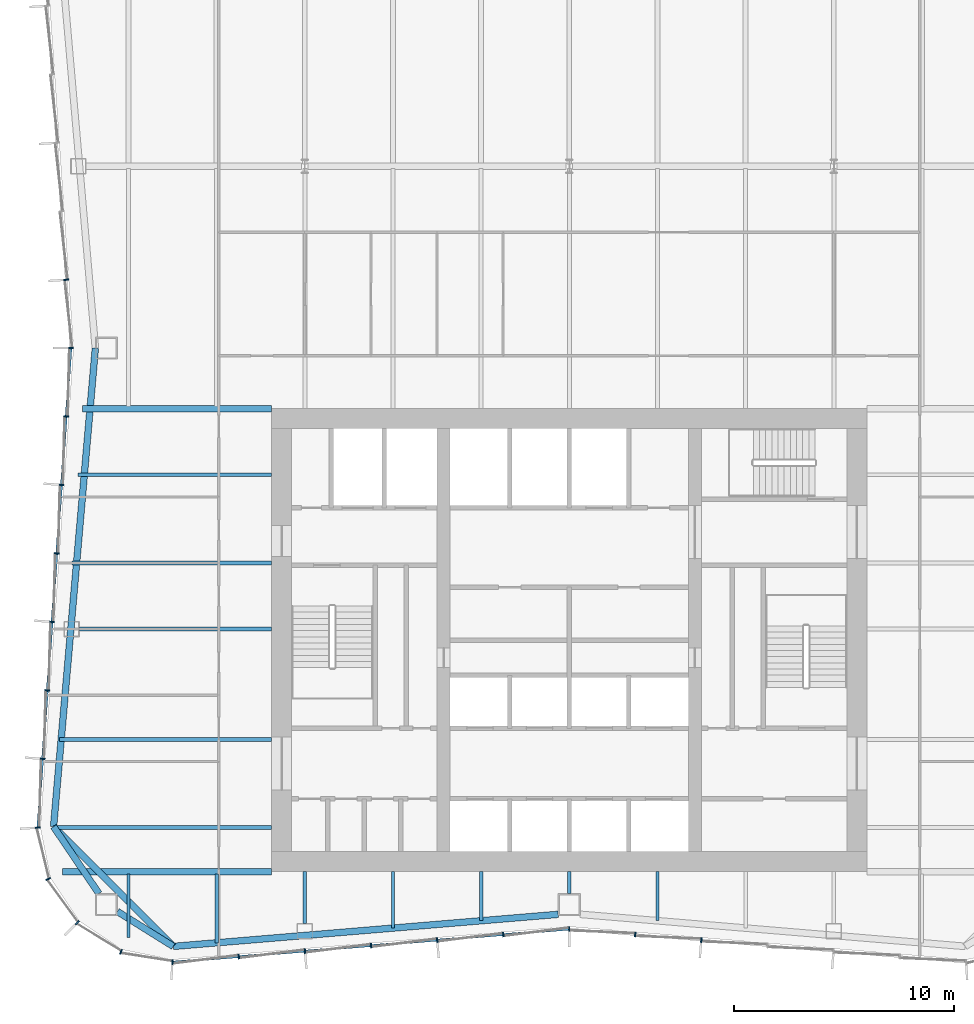
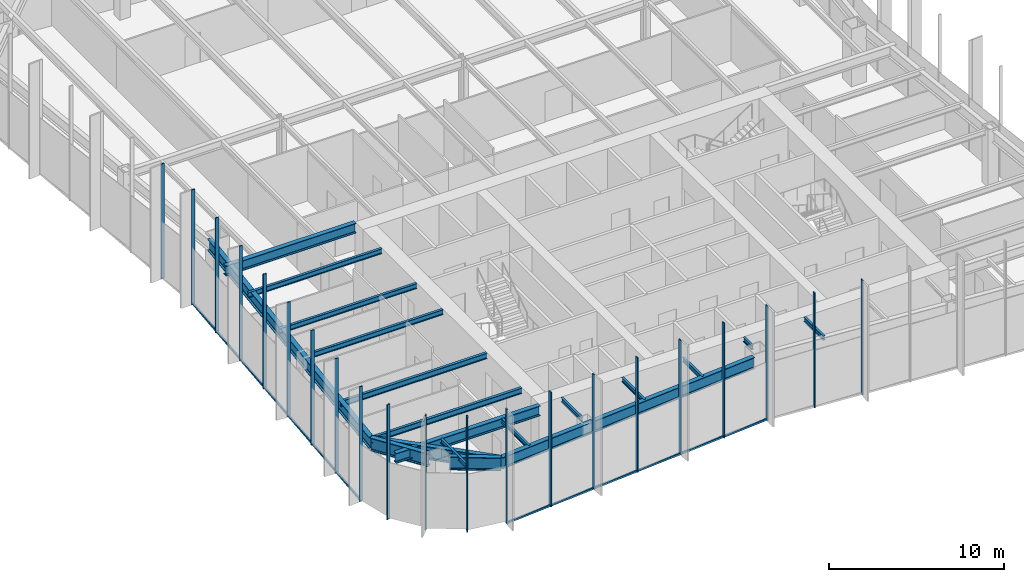
# One storey, part 2 of 13: 23 members, 19 beams, 3 elements without a shape of their own.
"""IFC4 building model written with IfcOpenShell, lengths in metres."""

from ifc_helpers import new_model, si_unit, direction, frame, origin, origin_2d, place, context, subcontext, project, spatial, rectangle, i_section, extrude, material, material_profile, profile_set, type_object, element, aggregate, save


model = new_model("IFC4")

# Units and contexts
model_context = context("Model", 3, precision=1e-05, world=origin(), true_north=direction((0.0, 1.0)))
body_context = subcontext(model_context, "Body", "Model", "MODEL_VIEW")
ifc_project = project(units=[si_unit("LENGTHUNIT", "METRE"), si_unit("AREAUNIT", "SQUARE_METRE"), si_unit("VOLUMEUNIT", "CUBIC_METRE"), si_unit("PLANEANGLEUNIT", "RADIAN"), si_unit("MASSUNIT", "GRAM", prefix="KILO")], contexts=[model_context])

# Site, building, storey
site_placement = place(None, origin())
site = spatial("IfcSite", under=ifc_project, at=site_placement, CompositionType="ELEMENT")
building_placement = place(site_placement, origin())
building = spatial("IfcBuilding", under=site, at=building_placement, Name="Verdant Reach Tower", CompositionType="ELEMENT")
storey_placement = place(building_placement, frame((0.0, 0.0, 218.0)))
storey = spatial("IfcBuildingStorey", under=building, at=storey_placement, Name="L50", CompositionType="ELEMENT", Elevation=218.0)

# Curtain wall, members
ifc_material_1 = material(Name="Anodised aluminium", Category="aluminium")
curtain_wall_type = type_object("IfcCurtainWallType", Name="EN-CW SYSTEM Z3", PredefinedType="NOTDEFINED", material=ifc_material_1)
curtain_wall_1_placement = place(storey_placement, origin())
curtain_wall_1 = element("IfcCurtainWall", 1, at=curtain_wall_1_placement, inside=storey, type_object=curtain_wall_type, Name="Curtain wall west, L50", PredefinedType="NOTDEFINED")
ifc_material_profile_1 = material_profile(ifc_material_1, rectangle(XDim=0.218017578125, YDim=0.06591796875, at=origin_2d()), Name="Mullion 66x218")
ifc_profile_set_1 = profile_set([ifc_material_profile_1], Name="Anodised aluminium")
member_type_1 = type_object("IfcMemberType", Name="EN-MULLION Z3", PredefinedType="MULLION", material=ifc_profile_set_1)
member_1_placement = place(storey_placement, frame((-22.822998046875, 44.349609375, -0.35009765625), z_axis=(0.0, 0.0, 1.0), x_axis=(-0.997630328423, -0.068802091615, 0.0)))
member_1 = element("IfcMember", 2, at=member_1_placement, type_object=member_type_1, Name="Mullion west face part 1 7, L50", PredefinedType="MULLION", context=body_context, shape_type="SweptSolid", body=[
    extrude(rectangle(XDim=0.218017578125, YDim=0.06591796875, at=origin_2d()), origin(), (0.0, 0.0, 1.0), 8.0),
])
member_2_placement = place(storey_placement, frame((-22.60888671875, 41.25, -0.35009765625), z_axis=(0.0, 0.0, 1.0), x_axis=(-1.0, 0.0, 0.0)))
member_2 = element("IfcMember", 3, at=member_2_placement, type_object=member_type_1, Name="Mullion west face part 2 1, L50", PredefinedType="MULLION", context=body_context, shape_type="SweptSolid", body=[
    extrude(rectangle(XDim=0.218017578125, YDim=0.06591796875, at=origin_2d()), origin(), (0.0, 0.0, 1.0), 8.0),
])
member_3_placement = place(storey_placement, frame((-22.822998046875, 38.150390625, -0.35009765625), z_axis=(0.0, 0.0, 1.0), x_axis=(-0.997630328423, 0.068802091615, 0.0)))
member_3 = element("IfcMember", 4, at=member_3_placement, type_object=member_type_1, Name="Mullion west face part 2 2, L50", PredefinedType="MULLION", context=body_context, shape_type="SweptSolid", body=[
    extrude(rectangle(XDim=0.218017578125, YDim=0.06591796875, at=origin_2d()), origin(), (0.0, 0.0, 1.0), 8.0),
])
member_4_placement = place(storey_placement, frame((-23.037353515625, 35.043212890625, -0.35009765625), z_axis=(0.0, 0.0, 1.0), x_axis=(-0.997630328423, 0.068802091615, 0.0)))
member_4 = element("IfcMember", 5, at=member_4_placement, type_object=member_type_1, Name="Mullion west face part 2 3, L50", PredefinedType="MULLION", context=body_context, shape_type="SweptSolid", body=[
    extrude(rectangle(XDim=0.218017578125, YDim=0.06591796875, at=origin_2d()), origin(), (0.0, 0.0, 1.0), 8.0),
])
member_5_placement = place(storey_placement, frame((-23.251708984375, 31.93603515625, -0.35009765625), z_axis=(0.0, 0.0, 1.0), x_axis=(-0.997630328423, 0.068802091615, 0.0)))
member_5 = element("IfcMember", 6, at=member_5_placement, type_object=member_type_1, Name="Mullion west face part 2 4, L50", PredefinedType="MULLION", context=body_context, shape_type="SweptSolid", body=[
    extrude(rectangle(XDim=0.218017578125, YDim=0.06591796875, at=origin_2d()), origin(), (0.0, 0.0, 1.0), 8.0),
])
member_6_placement = place(storey_placement, frame((-23.4658203125, 28.828857421875, -0.35009765625), z_axis=(0.0, 0.0, 1.0), x_axis=(-0.997630328423, 0.068802091615, 0.0)))
member_6 = element("IfcMember", 7, at=member_6_placement, type_object=member_type_1, Name="Mullion west face part 2 5, L50", PredefinedType="MULLION", context=body_context, shape_type="SweptSolid", body=[
    extrude(rectangle(XDim=0.218017578125, YDim=0.06591796875, at=origin_2d()), origin(), (0.0, 0.0, 1.0), 8.0),
])
member_7_placement = place(storey_placement, frame((-23.68017578125, 25.7216796875, -0.35009765625), z_axis=(0.0, 0.0, 1.0), x_axis=(-0.997630328423, 0.068802091615, 0.0)))
member_7 = element("IfcMember", 8, at=member_7_placement, type_object=member_type_1, Name="Mullion west face part 2 6, L50", PredefinedType="MULLION", context=body_context, shape_type="SweptSolid", body=[
    extrude(rectangle(XDim=0.218017578125, YDim=0.06591796875, at=origin_2d()), origin(), (0.0, 0.0, 1.0), 8.0),
])
member_8_placement = place(storey_placement, frame((-23.89453125, 22.61474609375, -0.35009765625), z_axis=(0.0, 0.0, 1.0), x_axis=(-0.997630328423, 0.068802091615, 0.0)))
member_8 = element("IfcMember", 9, at=member_8_placement, type_object=member_type_1, Name="Mullion west face part 2 7, L50", PredefinedType="MULLION", context=body_context, shape_type="SweptSolid", body=[
    extrude(rectangle(XDim=0.218017578125, YDim=0.06591796875, at=origin_2d()), origin(), (0.0, 0.0, 1.0), 8.0),
])

curtain_wall_2_placement = place(storey_placement, origin())
curtain_wall_2 = element("IfcCurtainWall", 10, at=curtain_wall_2_placement, inside=storey, type_object=curtain_wall_type, Name="Curtain wall south-west corner, L50", PredefinedType="NOTDEFINED")
member_9_placement = place(storey_placement, frame((-24.10888671875, 19.4931640625, -0.35009765625), z_axis=(0.0, 0.0, 1.0), x_axis=(-0.997969180898, -0.063698618332, 0.0)))
member_9 = element("IfcMember", 11, at=member_9_placement, type_object=member_type_1, Name="Mullion south-west corner 1, L50", PredefinedType="MULLION", context=body_context, shape_type="SweptSolid", body=[
    extrude(rectangle(XDim=0.218017578125, YDim=0.06591796875, at=origin_2d()), origin(), (0.0, 0.0, 1.0), 8.0),
])
member_10_placement = place(storey_placement, frame((-23.64404296875, 17.162109375, -0.35009765625), z_axis=(0.0, 0.0, 1.0), x_axis=(-0.923875215753, -0.382693853776, 0.0)))
member_10 = element("IfcMember", 12, at=member_10_placement, type_object=member_type_1, Name="Mullion south-west corner 2, L50", PredefinedType="MULLION", context=body_context, shape_type="SweptSolid", body=[
    extrude(rectangle(XDim=0.218017578125, YDim=0.06591796875, at=origin_2d()), origin(), (0.0, 0.0, 1.0), 8.0),
])
member_11_placement = place(storey_placement, frame((-22.319580078125, 15.180419921875, -0.35009765625), z_axis=(0.0, 0.0, 1.0), x_axis=(-0.707106781187, -0.707106781187, 0.0)))
member_11 = element("IfcMember", 13, at=member_11_placement, type_object=member_type_1, Name="Mullion south-west corner 3, L50", PredefinedType="MULLION", context=body_context, shape_type="SweptSolid", body=[
    extrude(rectangle(XDim=0.218017578125, YDim=0.06591796875, at=origin_2d()), origin(), (0.0, 0.0, 1.0), 8.0),
])
member_12_placement = place(storey_placement, frame((-20.337890625, 13.85595703125, -0.35009765625), z_axis=(0.0, 0.0, 1.0), x_axis=(-0.382693853776, -0.923875215753, 0.0)))
member_12 = element("IfcMember", 14, at=member_12_placement, type_object=member_type_1, Name="Mullion south-west corner 4, L50", PredefinedType="MULLION", context=body_context, shape_type="SweptSolid", body=[
    extrude(rectangle(XDim=0.218017578125, YDim=0.06591796875, at=origin_2d()), origin(), (0.0, 0.0, 1.0), 8.0),
])
aggregate(curtain_wall_2, [member_9, member_10, member_11, member_12])

curtain_wall_3_placement = place(storey_placement, origin())
curtain_wall_3 = element("IfcCurtainWall", 15, at=curtain_wall_3_placement, inside=storey, type_object=curtain_wall_type, Name="Curtain wall south, L50", PredefinedType="NOTDEFINED")
member_13_placement = place(storey_placement, frame((-18.006103515625, 13.39111328125, -0.35009765625), z_axis=(0.0, 0.0, 1.0), x_axis=(-0.056569187765, -0.998398681387, 0.0)))
member_13 = element("IfcMember", 16, at=member_13_placement, type_object=member_type_1, Name="Mullion south face part 1 1, L50", PredefinedType="MULLION", context=body_context, shape_type="SweptSolid", body=[
    extrude(rectangle(XDim=0.218017578125, YDim=0.06591796875, at=origin_2d()), origin(), (0.0, 0.0, 1.0), 8.0),
])
member_14_placement = place(storey_placement, frame((-14.990966796875, 13.641357421875, -0.35009765625), z_axis=(0.0, 0.0, 1.0), x_axis=(0.083045479859, -0.996545758244, 0.0)))
member_14 = element("IfcMember", 17, at=member_14_placement, type_object=member_type_1, Name="Mullion south face part 1 2, L50", PredefinedType="MULLION", context=body_context, shape_type="SweptSolid", body=[
    extrude(rectangle(XDim=0.218017578125, YDim=0.06591796875, at=origin_2d()), origin(), (0.0, 0.0, 1.0), 8.0),
])
member_15_placement = place(storey_placement, frame((-11.990966796875, 13.891357421875, -0.35009765625), z_axis=(0.0, 0.0, 1.0), x_axis=(0.083045479859, -0.996545758244, 0.0)))
member_15 = element("IfcMember", 18, at=member_15_placement, type_object=member_type_1, Name="Mullion south face part 1 3, L50", PredefinedType="MULLION", context=body_context, shape_type="SweptSolid", body=[
    extrude(rectangle(XDim=0.218017578125, YDim=0.06591796875, at=origin_2d()), origin(), (0.0, 0.0, 1.0), 8.0),
])
member_16_placement = place(storey_placement, frame((-8.990966796875, 14.141357421875, -0.35009765625), z_axis=(0.0, 0.0, 1.0), x_axis=(0.083045479859, -0.996545758244, 0.0)))
member_16 = element("IfcMember", 19, at=member_16_placement, type_object=member_type_1, Name="Mullion south face part 1 4, L50", PredefinedType="MULLION", context=body_context, shape_type="SweptSolid", body=[
    extrude(rectangle(XDim=0.218017578125, YDim=0.06591796875, at=origin_2d()), origin(), (0.0, 0.0, 1.0), 8.0),
])
member_17_placement = place(storey_placement, frame((-5.990966796875, 14.391357421875, -0.35009765625), z_axis=(0.0, 0.0, 1.0), x_axis=(0.083045479859, -0.996545758244, 0.0)))
member_17 = element("IfcMember", 20, at=member_17_placement, type_object=member_type_1, Name="Mullion south face part 1 5, L50", PredefinedType="MULLION", context=body_context, shape_type="SweptSolid", body=[
    extrude(rectangle(XDim=0.218017578125, YDim=0.06591796875, at=origin_2d()), origin(), (0.0, 0.0, 1.0), 8.0),
])
member_18_placement = place(storey_placement, frame((-2.990966796875, 14.641357421875, -0.35009765625), z_axis=(0.0, 0.0, 1.0), x_axis=(0.083045479859, -0.996545758244, 0.0)))
member_18 = element("IfcMember", 21, at=member_18_placement, type_object=member_type_1, Name="Mullion south face part 1 6, L50", PredefinedType="MULLION", context=body_context, shape_type="SweptSolid", body=[
    extrude(rectangle(XDim=0.218017578125, YDim=0.06591796875, at=origin_2d()), origin(), (0.0, 0.0, 1.0), 8.0),
])
member_19_placement = place(storey_placement, frame((0.0, 14.89111328125, -0.35009765625), z_axis=(0.0, 0.0, 1.0), x_axis=(0.0, -1.0, 0.0)))
member_19 = element("IfcMember", 22, at=member_19_placement, type_object=member_type_1, Name="Mullion south face part 2 1, L50", PredefinedType="MULLION", context=body_context, shape_type="SweptSolid", body=[
    extrude(rectangle(XDim=0.218017578125, YDim=0.06591796875, at=origin_2d()), origin(), (0.0, 0.0, 1.0), 8.0),
])
member_20_placement = place(storey_placement, frame((2.990966796875, 14.641357421875, -0.35009765625), z_axis=(0.0, 0.0, 1.0), x_axis=(-0.083045479859, -0.996545758244, 0.0)))
member_20 = element("IfcMember", 23, at=member_20_placement, type_object=member_type_1, Name="Mullion south face part 2 2, L50", PredefinedType="MULLION", context=body_context, shape_type="SweptSolid", body=[
    extrude(rectangle(XDim=0.218017578125, YDim=0.06591796875, at=origin_2d()), origin(), (0.0, 0.0, 1.0), 8.0),
])
member_21_placement = place(storey_placement, frame((5.990966796875, 14.391357421875, -0.35009765625), z_axis=(0.0, 0.0, 1.0), x_axis=(-0.083045479859, -0.996545758244, 0.0)))
member_21 = element("IfcMember", 24, at=member_21_placement, type_object=member_type_1, Name="Mullion south face part 2 3, L50", PredefinedType="MULLION", context=body_context, shape_type="SweptSolid", body=[
    extrude(rectangle(XDim=0.218017578125, YDim=0.06591796875, at=origin_2d()), origin(), (0.0, 0.0, 1.0), 8.0),
])

# Member
ifc_material_profile_2 = material_profile(ifc_material_1, rectangle(XDim=0.10009765625, YDim=0.1259765625, at=origin_2d()), Name="Transom 126x100")
ifc_profile_set_2 = profile_set([ifc_material_profile_2], Name="Anodised aluminium")
member_type_2 = type_object("IfcMemberType", Name="EN-TRANSOM Z3", PredefinedType="USERDEFINED", material=ifc_profile_set_2)
member_22_placement = place(storey_placement, frame((-22.611328125, 41.217041015625, -0.287109375), z_axis=(-0.068764326054, -0.997632932226, 0.0), x_axis=(0.997632932226, -0.068764326054, 0.0)))
member_22 = element("IfcMember", 25, at=member_22_placement, type_object=member_type_2, Name="Transom west face part 2 1.1, L50", ObjectType="TRANSOM", PredefinedType="USERDEFINED", context=body_context, shape_type="SweptSolid", body=[
    extrude(rectangle(XDim=0.10009765625, YDim=0.1259765625, at=origin_2d()), origin(), (0.0, 0.0, 1.0), 21.74267578125),
])

aggregate(curtain_wall_1, [member_1, member_2, member_3, member_4, member_5, member_6, member_7, member_8, member_22])

member_23_placement = place(storey_placement, frame((-17.973388671875, 13.393798828125, -0.287109375), z_axis=(0.996548750467, 0.083009565369, 0.0), x_axis=(-0.083009565369, 0.996548750467, 0.0)))
member_23 = element("IfcMember", 26, at=member_23_placement, type_object=member_type_2, Name="Transom south face part 1 1.1, L50", ObjectType="TRANSOM", PredefinedType="USERDEFINED", context=body_context, shape_type="SweptSolid", body=[
    extrude(rectangle(XDim=0.10009765625, YDim=0.1259765625, at=origin_2d()), origin(), (0.0, 0.0, 1.0), 18.00244140625),
])

aggregate(curtain_wall_3, [member_13, member_14, member_15, member_16, member_17, member_18, member_23, member_19, member_20, member_21])

# Beams
ifc_material_2 = material(Name="Steel S355", Category="steel")
ifc_material_profile_3 = material_profile(ifc_material_2, i_section(OverallWidth=0.300048828125, OverallDepth=0.699951171875, WebThickness=0.01708984375, FlangeThickness=0.031982421875, FilletRadius=0.027099609375, at=origin_2d()), Name="HEB 700")
ifc_profile_set_3 = profile_set([ifc_material_profile_3], Name="Steel S355")
beam_type_1 = type_object("IfcBeamType", Name="ST-BEAM-HEB700", PredefinedType="BEAM", material=ifc_profile_set_3)
beam_1_placement = place(storey_placement, frame((-13.5, 38.5, 3.52001953125), z_axis=(-1.0, 0.0, 0.0), x_axis=(0.0, -1.0, 0.0)))
element("IfcBeam", 27, at=beam_1_placement, inside=storey, type_object=beam_type_1, Name="Trimmer beam, L50", PredefinedType="BEAM", context=body_context, shape_type="SweptSolid", body=[
    extrude(i_section(OverallWidth=0.300048828125, OverallDepth=0.699951171875, WebThickness=0.01708984375, FlangeThickness=0.031982421875, FilletRadius=0.027099609375, at=origin_2d()), origin(), (0.0, 0.0, 1.0), 8.588134765625),
])
beam_2_placement = place(storey_placement, frame((-13.5, 17.5, 3.52001953125), z_axis=(-1.0, 0.0, 0.0), x_axis=(0.0, -1.0, 0.0)))
element("IfcBeam", 28, at=beam_2_placement, inside=storey, type_object=beam_type_1, Name="Trimmer beam, L50", PredefinedType="BEAM", context=body_context, shape_type="SweptSolid", body=[
    extrude(i_section(OverallWidth=0.300048828125, OverallDepth=0.699951171875, WebThickness=0.01708984375, FlangeThickness=0.031982421875, FilletRadius=0.027099609375, at=origin_2d()), origin(), (0.0, 0.0, 1.0), 9.490478515625),
])
ifc_material_profile_4 = material_profile(ifc_material_2, i_section(OverallWidth=0.302001953125, OverallDepth=0.909912109375, WebThickness=0.02099609375, FlangeThickness=0.0400390625, FilletRadius=0.030029296875, at=origin_2d()), Name="HEM 900")
ifc_profile_set_4 = profile_set([ifc_material_profile_4], Name="Steel S355")
beam_type_2 = type_object("IfcBeamType", Name="ST-BEAM-HEM900", PredefinedType="BEAM", material=ifc_profile_set_4)
beam_3_placement = place(storey_placement, frame((-20.5, 15.687744140625, 3.4150390625), z_axis=(0.848163521635, -0.529734500073, 0.0), x_axis=(0.529734500073, 0.848163521635, 0.0)))
element("IfcBeam", 29, at=beam_3_placement, inside=storey, type_object=beam_type_2, Name="Column stub beam, L50", PredefinedType="BEAM", context=body_context, shape_type="SweptSolid", body=[
    extrude(i_section(OverallWidth=0.302001953125, OverallDepth=0.909912109375, WebThickness=0.02099609375, FlangeThickness=0.0400390625, FilletRadius=0.030029296875, at=origin_2d()), origin(), (0.0, 0.0, 1.0), 2.98779296875),
])
beam_4_placement = place(storey_placement, frame((-21.33837890625, 16.5, 3.4150390625), z_axis=(-0.560703975309, 0.828016335631, 0.0), x_axis=(-0.828016335631, -0.560703975309, 0.0)))
element("IfcBeam", 30, at=beam_4_placement, inside=storey, type_object=beam_type_2, Name="Column stub beam, L50", PredefinedType="BEAM", context=body_context, shape_type="SweptSolid", body=[
    extrude(i_section(OverallWidth=0.302001953125, OverallDepth=0.909912109375, WebThickness=0.02099609375, FlangeThickness=0.0400390625, FilletRadius=0.030029296875, at=origin_2d()), origin(), (0.0, 0.0, 1.0), 3.669677734375),
])
ifc_material_profile_5 = material_profile(ifc_material_2, i_section(OverallWidth=0.14990234375, OverallDepth=0.300048828125, WebThickness=0.007080078125, FlangeThickness=0.0107421875, FilletRadius=0.014892578125, at=origin_2d()), Name="IPE 300")
ifc_profile_set_5 = profile_set([ifc_material_profile_5], Name="Steel S355")
beam_type_3 = type_object("IfcBeamType", Name="ST-JOIST-IPE300", PredefinedType="JOIST", material=ifc_profile_set_5)
beam_5_placement = place(storey_placement, frame((-20.0, 17.39990234375, 3.719970703125), z_axis=(0.0, -1.0, 0.0), x_axis=(1.0, 0.0, 0.0)))
element("IfcBeam", 31, at=beam_5_placement, inside=storey, type_object=beam_type_3, Name="Floor joist, L50", PredefinedType="JOIST", context=body_context, shape_type="SweptSolid", body=[
    extrude(i_section(OverallWidth=0.14990234375, OverallDepth=0.300048828125, WebThickness=0.007080078125, FlangeThickness=0.0107421875, FilletRadius=0.014892578125, at=origin_2d()), origin(), (0.0, 0.0, 1.0), 2.890380859375),
])
beam_6_placement = place(storey_placement, frame((-16.0, 17.39990234375, 3.719970703125), z_axis=(0.0, -1.0, 0.0), x_axis=(1.0, 0.0, 0.0)))
element("IfcBeam", 32, at=beam_6_placement, inside=storey, type_object=beam_type_3, Name="Floor joist, L50", PredefinedType="JOIST", context=body_context, shape_type="SweptSolid", body=[
    extrude(i_section(OverallWidth=0.14990234375, OverallDepth=0.300048828125, WebThickness=0.007080078125, FlangeThickness=0.0107421875, FilletRadius=0.014892578125, at=origin_2d()), origin(), (0.0, 0.0, 1.0), 3.131103515625),
])
beam_7_placement = place(storey_placement, frame((-12.0, 17.5, 3.719970703125), z_axis=(0.0, -1.0, 0.0), x_axis=(1.0, 0.0, 0.0)))
element("IfcBeam", 33, at=beam_7_placement, inside=storey, type_object=beam_type_3, Name="Floor joist, L50", PredefinedType="JOIST", context=body_context, shape_type="SweptSolid", body=[
    extrude(i_section(OverallWidth=0.14990234375, OverallDepth=0.300048828125, WebThickness=0.007080078125, FlangeThickness=0.0107421875, FilletRadius=0.014892578125, at=origin_2d()), origin(), (0.0, 0.0, 1.0), 2.35009765625),
])
beam_8_placement = place(storey_placement, frame((-8.0, 17.5, 3.719970703125), z_axis=(0.0, -1.0, 0.0), x_axis=(1.0, 0.0, 0.0)))
element("IfcBeam", 34, at=beam_8_placement, inside=storey, type_object=beam_type_3, Name="Floor joist, L50", PredefinedType="JOIST", context=body_context, shape_type="SweptSolid", body=[
    extrude(i_section(OverallWidth=0.14990234375, OverallDepth=0.300048828125, WebThickness=0.007080078125, FlangeThickness=0.0107421875, FilletRadius=0.014892578125, at=origin_2d()), origin(), (0.0, 0.0, 1.0), 2.564697265625),
])
beam_9_placement = place(storey_placement, frame((-4.0, 17.5, 3.719970703125), z_axis=(0.0, -1.0, 0.0), x_axis=(1.0, 0.0, 0.0)))
element("IfcBeam", 35, at=beam_9_placement, inside=storey, type_object=beam_type_3, Name="Floor joist, L50", PredefinedType="JOIST", context=body_context, shape_type="SweptSolid", body=[
    extrude(i_section(OverallWidth=0.14990234375, OverallDepth=0.300048828125, WebThickness=0.007080078125, FlangeThickness=0.0107421875, FilletRadius=0.014892578125, at=origin_2d()), origin(), (0.0, 0.0, 1.0), 2.231201171875),
])
beam_10_placement = place(storey_placement, frame((0.0, 17.5, 3.719970703125), z_axis=(0.0, -1.0, 0.0), x_axis=(1.0, 0.0, 0.0)))
element("IfcBeam", 36, at=beam_10_placement, inside=storey, type_object=beam_type_3, Name="Floor joist, L50", PredefinedType="JOIST", context=body_context, shape_type="SweptSolid", body=[
    extrude(i_section(OverallWidth=0.14990234375, OverallDepth=0.300048828125, WebThickness=0.007080078125, FlangeThickness=0.0107421875, FilletRadius=0.014892578125, at=origin_2d()), origin(), (0.0, 0.0, 1.0), 1.0),
])
beam_11_placement = place(storey_placement, frame((4.0, 17.5, 3.719970703125), z_axis=(0.0, -1.0, 0.0), x_axis=(1.0, 0.0, 0.0)))
element("IfcBeam", 37, at=beam_11_placement, inside=storey, type_object=beam_type_3, Name="Floor joist, L50", PredefinedType="JOIST", context=body_context, shape_type="SweptSolid", body=[
    extrude(i_section(OverallWidth=0.14990234375, OverallDepth=0.300048828125, WebThickness=0.007080078125, FlangeThickness=0.0107421875, FilletRadius=0.014892578125, at=origin_2d()), origin(), (0.0, 0.0, 1.0), 2.231201171875),
])
ifc_material_profile_6 = material_profile(ifc_material_2, i_section(OverallWidth=0.169921875, OverallDepth=0.360107421875, WebThickness=0.008056640625, FlangeThickness=0.0126953125, FilletRadius=0.01806640625, at=origin_2d()), Name="IPE 360")
ifc_profile_set_6 = profile_set([ifc_material_profile_6], Name="Steel S355")
beam_type_4 = type_object("IfcBeamType", Name="ST-JOIST-IPE360", PredefinedType="JOIST", material=ifc_profile_set_6)
beam_12_placement = place(storey_placement, frame((-13.5, 28.5, 3.68994140625), z_axis=(-1.0, 0.0, 0.0), x_axis=(0.0, -1.0, 0.0)))
element("IfcBeam", 38, at=beam_12_placement, inside=storey, type_object=beam_type_4, Name="Floor joist, L50", PredefinedType="JOIST", context=body_context, shape_type="SweptSolid", body=[
    extrude(i_section(OverallWidth=0.169921875, OverallDepth=0.360107421875, WebThickness=0.008056640625, FlangeThickness=0.0126953125, FilletRadius=0.01806640625, at=origin_2d()), origin(), (0.0, 0.0, 1.0), 8.729248046875),
])
beam_13_placement = place(storey_placement, frame((-13.5, 31.5, 3.68994140625), z_axis=(-1.0, 0.0, 0.0), x_axis=(0.0, -1.0, 0.0)))
element("IfcBeam", 39, at=beam_13_placement, inside=storey, type_object=beam_type_4, Name="Floor joist, L50", PredefinedType="JOIST", context=body_context, shape_type="SweptSolid", body=[
    extrude(i_section(OverallWidth=0.169921875, OverallDepth=0.360107421875, WebThickness=0.008056640625, FlangeThickness=0.0126953125, FilletRadius=0.01806640625, at=origin_2d()), origin(), (0.0, 0.0, 1.0), 9.071044921875),
])
beam_14_placement = place(storey_placement, frame((-13.5, 35.5, 3.68994140625), z_axis=(-1.0, 0.0, 0.0), x_axis=(0.0, -1.0, 0.0)))
element("IfcBeam", 40, at=beam_14_placement, inside=storey, type_object=beam_type_4, Name="Floor joist, L50", PredefinedType="JOIST", context=body_context, shape_type="SweptSolid", body=[
    extrude(i_section(OverallWidth=0.169921875, OverallDepth=0.360107421875, WebThickness=0.008056640625, FlangeThickness=0.0126953125, FilletRadius=0.01806640625, at=origin_2d()), origin(), (0.0, 0.0, 1.0), 8.795166015625),
])
ifc_material_profile_7 = material_profile(ifc_material_2, i_section(OverallWidth=0.179931640625, OverallDepth=0.39990234375, WebThickness=0.008544921875, FlangeThickness=0.013427734375, FilletRadius=0.02099609375, at=origin_2d()), Name="IPE 400")
ifc_profile_set_7 = profile_set([ifc_material_profile_7], Name="Steel S355")
beam_type_5 = type_object("IfcBeamType", Name="ST-JOIST-IPE400", PredefinedType="JOIST", material=ifc_profile_set_7)
beam_15_placement = place(storey_placement, frame((-13.5, 19.5, 3.669921875), z_axis=(-1.0, 0.0, 0.0), x_axis=(0.0, -1.0, 0.0)))
element("IfcBeam", 41, at=beam_15_placement, inside=storey, type_object=beam_type_5, Name="Floor joist, L50", PredefinedType="JOIST", context=body_context, shape_type="SweptSolid", body=[
    extrude(i_section(OverallWidth=0.179931640625, OverallDepth=0.39990234375, WebThickness=0.008544921875, FlangeThickness=0.013427734375, FilletRadius=0.02099609375, at=origin_2d()), origin(), (0.0, 0.0, 1.0), 9.88818359375),
])
beam_16_placement = place(storey_placement, frame((-13.5, 23.5, 3.669921875), z_axis=(-1.0, 0.0, 0.0), x_axis=(0.0, -1.0, 0.0)))
element("IfcBeam", 42, at=beam_16_placement, inside=storey, type_object=beam_type_5, Name="Floor joist, L50", PredefinedType="JOIST", context=body_context, shape_type="SweptSolid", body=[
    extrude(i_section(OverallWidth=0.179931640625, OverallDepth=0.39990234375, WebThickness=0.008544921875, FlangeThickness=0.013427734375, FilletRadius=0.02099609375, at=origin_2d()), origin(), (0.0, 0.0, 1.0), 9.622802734375),
])
ifc_material_profile_8 = material_profile(ifc_material_2, i_section(OverallWidth=0.300048828125, OverallDepth=0.800048828125, WebThickness=0.017578125, FlangeThickness=0.032958984375, FilletRadius=0.030029296875, at=origin_2d()), Name="HEB 800")
ifc_profile_set_8 = profile_set([ifc_material_profile_8], Name="Steel S355")
beam_type_6 = type_object("IfcBeamType", Name="ST-SPANDREL-HEB800", PredefinedType="SPANDREL", material=ifc_profile_set_8)
beam_17_placement = place(storey_placement, frame((-0.5, 15.560302734375, 3.469970703125), z_axis=(-0.99654652675, -0.083036257282, 0.0), x_axis=(0.083036257282, -0.99654652675, 0.0)))
element("IfcBeam", 43, at=beam_17_placement, inside=storey, type_object=beam_type_6, Name="Edge beam, L50", PredefinedType="SPANDREL", context=body_context, shape_type="SweptSolid", body=[
    extrude(i_section(OverallWidth=0.300048828125, OverallDepth=0.800048828125, WebThickness=0.017578125, FlangeThickness=0.032958984375, FilletRadius=0.030029296875, at=origin_2d()), origin(), (0.0, 0.0, 1.0), 17.5263671875),
])
beam_18_placement = place(storey_placement, frame((-23.39599609375, 19.53857421875, 3.469970703125), z_axis=(0.086996024331, 0.996208658741, 0.0), x_axis=(-0.996208658741, 0.086996024331, 0.0)))
element("IfcBeam", 44, at=beam_18_placement, inside=storey, type_object=beam_type_6, Name="Edge beam, L50", PredefinedType="SPANDREL", context=body_context, shape_type="SweptSolid", body=[
    extrude(i_section(OverallWidth=0.300048828125, OverallDepth=0.800048828125, WebThickness=0.017578125, FlangeThickness=0.032958984375, FilletRadius=0.030029296875, at=origin_2d()), origin(), (0.0, 0.0, 1.0), 21.7939453125),
])
ifc_material_profile_9 = material_profile(ifc_material_2, i_section(OverallWidth=0.302001953125, OverallDepth=0.909912109375, WebThickness=0.02099609375, FlangeThickness=0.0400390625, FilletRadius=0.030029296875, at=origin_2d()), Name="HEM 900")
ifc_profile_set_9 = profile_set([ifc_material_profile_9], Name="Steel S355")
beam_type_7 = type_object("IfcBeamType", Name="ST-SPANDREL-HEM900", PredefinedType="SPANDREL", material=ifc_profile_set_9)
beam_19_placement = place(storey_placement, frame((-17.9658203125, 14.10498046875, 3.4150390625), z_axis=(-0.706884275642, 0.707329216738, 0.0), x_axis=(-0.707329216738, -0.706884275642, 0.0)))
element("IfcBeam", 45, at=beam_19_placement, inside=storey, type_object=beam_type_7, Name="Edge beam, L50", PredefinedType="SPANDREL", context=body_context, shape_type="SweptSolid", body=[
    extrude(i_section(OverallWidth=0.302001953125, OverallDepth=0.909912109375, WebThickness=0.02099609375, FlangeThickness=0.0400390625, FilletRadius=0.030029296875, at=origin_2d()), origin(), (0.0, 0.0, 1.0), 7.681884765625),
])

save(model, "model.ifc")
